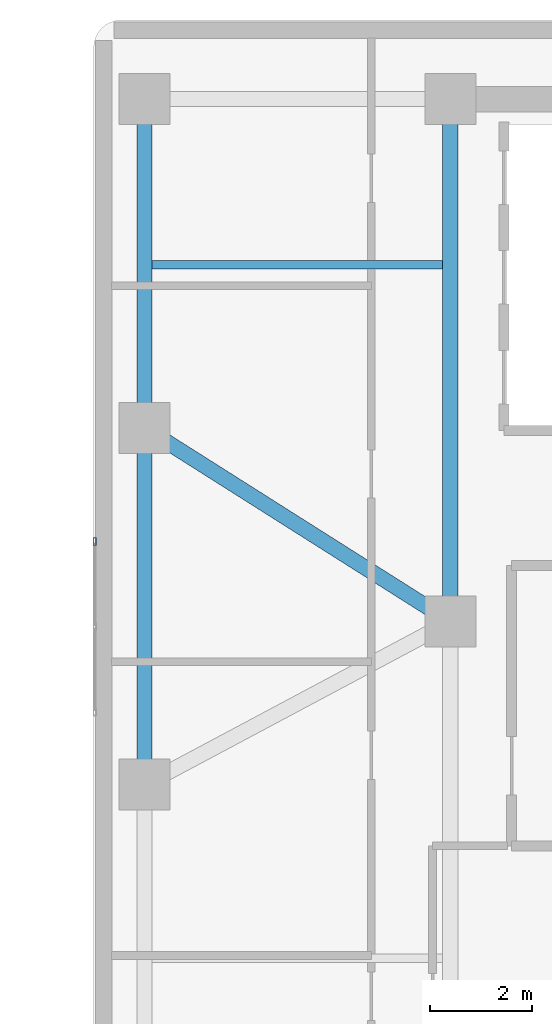
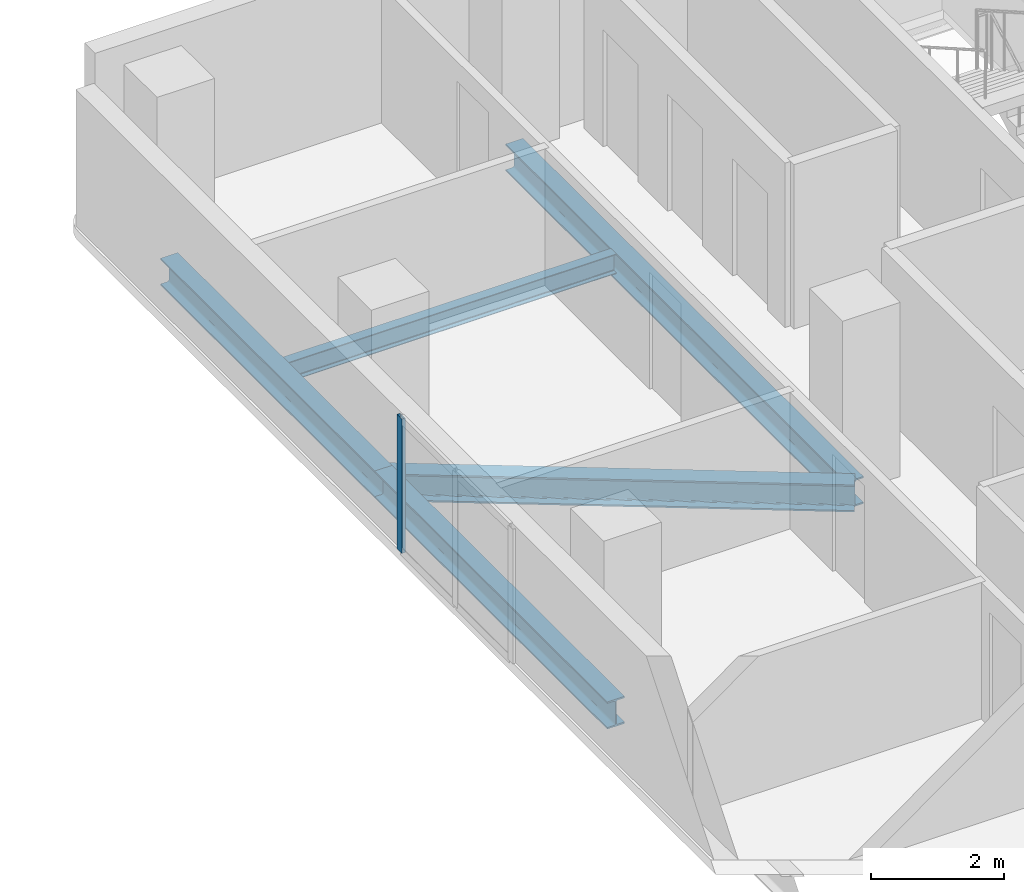
# One storey, part 6 of 14: 5 beams, 1 member, 1 element without a shape of its own.
"""IFC4 building model written with IfcOpenShell, lengths in metres."""

from ifc_helpers import new_model, si_unit, direction, frame, origin, origin_2d, place, context, subcontext, project, spatial, hollow_rectangle, i_section, extrude, material, material_profile, profile_set, type_object, element, aggregate, save


model = new_model("IFC4")

# Units and contexts
model_context = context("Model", 3, precision=1e-05, world=origin(), true_north=direction((0.0, 1.0)))
body_context = subcontext(model_context, "Body", "Model", "MODEL_VIEW")
ifc_project = project(units=[si_unit("LENGTHUNIT", "METRE"), si_unit("AREAUNIT", "SQUARE_METRE"), si_unit("VOLUMEUNIT", "CUBIC_METRE"), si_unit("PLANEANGLEUNIT", "RADIAN"), si_unit("MASSUNIT", "GRAM", prefix="KILO")], contexts=[model_context])

# Site, building, storey
site_placement = place(None, origin())
site = spatial("IfcSite", under=ifc_project, at=site_placement, CompositionType="ELEMENT")
building_placement = place(site_placement, origin())
building = spatial("IfcBuilding", under=site, at=building_placement, Name="Kuzgunbayir Cultural Tower", CompositionType="ELEMENT")
storey_placement = place(building_placement, frame((0.0, 0.0, 33.39990234375)))
storey = spatial("IfcBuildingStorey", under=building, at=storey_placement, Name="L08", CompositionType="ELEMENT", Elevation=33.39990234375)

# Beams
ifc_material_1 = material(Name="Steel S355J2", Category="steel")
ifc_material_profile_1 = material_profile(ifc_material_1, i_section(OverallWidth=0.300048828125, OverallDepth=0.5, WebThickness=0.014404296875, FlangeThickness=0.028076171875, FilletRadius=0.027099609375, at=origin_2d()), Name="HEB 500")
ifc_profile_set_1 = profile_set([ifc_material_profile_1], Name="Steel S355J2")
beam_type_1 = type_object("IfcBeamType", Name="BM-EXT-HEB500", PredefinedType="BEAM", material=ifc_profile_set_1)
beam_1_placement = place(storey_placement, frame((58.60009765625, 28.800048828125, -0.429931640625), z_axis=(0.0, 1.0, 0.0), x_axis=(-1.0, 0.0, 0.0)))
element("IfcBeam", 1, at=beam_1_placement, inside=storey, type_object=beam_type_1, Name="L08 Companion West Girder", PredefinedType="BEAM", context=body_context, shape_type="SweptSolid", body=[
    extrude(i_section(OverallWidth=0.300048828125, OverallDepth=0.5, WebThickness=0.014404296875, FlangeThickness=0.028076171875, FilletRadius=0.027099609375, at=origin_2d()), origin(), (0.0, 0.0, 1.0), 7.0),
])
beam_2_placement = place(storey_placement, frame((58.60009765625, 35.800048828125, -0.429931640625), z_axis=(0.0, 1.0, 0.0), x_axis=(-1.0, 0.0, 0.0)))
element("IfcBeam", 2, at=beam_2_placement, inside=storey, type_object=beam_type_1, Name="L08 Companion West Girder", PredefinedType="BEAM", context=body_context, shape_type="SweptSolid", body=[
    extrude(i_section(OverallWidth=0.300048828125, OverallDepth=0.5, WebThickness=0.014404296875, FlangeThickness=0.028076171875, FilletRadius=0.027099609375, at=origin_2d()), origin(), (0.0, 0.0, 1.0), 6.449951171875),
])
ifc_material_profile_2 = material_profile(ifc_material_1, i_section(OverallWidth=0.300048828125, OverallDepth=0.5, WebThickness=0.014404296875, FlangeThickness=0.028076171875, FilletRadius=0.027099609375, at=origin_2d()), Name="HEB 500")
ifc_profile_set_2 = profile_set([ifc_material_profile_2], Name="Steel S355J2")
beam_type_2 = type_object("IfcBeamType", Name="BM-GIR-HEB500", PredefinedType="BEAM", material=ifc_profile_set_2)
beam_3_placement = place(storey_placement, frame((58.60009765625, 35.800048828125, -0.429931640625), z_axis=(0.844815967829, -0.535056988088, 0.0), x_axis=(0.535056988088, 0.844815967829, 0.0)))
element("IfcBeam", 3, at=beam_3_placement, inside=storey, type_object=beam_type_2, Name="L08 Companion Transverse Girder 3", PredefinedType="BEAM", context=body_context, shape_type="SweptSolid", body=[
    extrude(i_section(OverallWidth=0.300048828125, OverallDepth=0.5, WebThickness=0.014404296875, FlangeThickness=0.028076171875, FilletRadius=0.027099609375, at=origin_2d()), origin(), (0.0, 0.0, 1.0), 7.10205078125),
])
beam_4_placement = place(storey_placement, frame((64.60009765625, 32.0, -0.429931640625), z_axis=(0.0, 1.0, 0.0), x_axis=(-1.0, 0.0, 0.0)))
element("IfcBeam", 4, at=beam_4_placement, inside=storey, type_object=beam_type_2, Name="L08 Companion Core West Girder 2", PredefinedType="BEAM", context=body_context, shape_type="SweptSolid", body=[
    extrude(i_section(OverallWidth=0.300048828125, OverallDepth=0.5, WebThickness=0.014404296875, FlangeThickness=0.028076171875, FilletRadius=0.027099609375, at=origin_2d()), origin(), (0.0, 0.0, 1.0), 10.25),
])
ifc_material_profile_3 = material_profile(ifc_material_1, i_section(OverallWidth=0.169921875, OverallDepth=0.360107421875, WebThickness=0.008056640625, FlangeThickness=0.0126953125, FilletRadius=0.01806640625, at=origin_2d()), Name="IPE 360")
ifc_profile_set_3 = profile_set([ifc_material_profile_3], Name="Steel S355J2")
beam_type_3 = type_object("IfcBeamType", Name="BM-JST-IPE360", PredefinedType="JOIST", material=ifc_profile_set_3)
beam_5_placement = place(storey_placement, frame((58.75, 39.0, -0.35986328125), z_axis=(1.0, 0.0, 0.0), x_axis=(0.0, 1.0, 0.0)))
element("IfcBeam", 5, at=beam_5_placement, inside=storey, type_object=beam_type_3, Name="L08 Companion Joist", PredefinedType="JOIST", context=body_context, shape_type="SweptSolid", body=[
    extrude(i_section(OverallWidth=0.169921875, OverallDepth=0.360107421875, WebThickness=0.008056640625, FlangeThickness=0.0126953125, FilletRadius=0.01806640625, at=origin_2d()), origin(), (0.0, 0.0, 1.0), 5.699951171875),
])

# Curtain wall, member
ifc_material_2 = material(Name="Anodised Aluminium Framing", Category="aluminium")
curtain_wall_type = type_object("IfcCurtainWallType", Name="CW04-T2-CULTURAL", PredefinedType="NOTDEFINED", material=ifc_material_2)
curtain_wall_placement = place(storey_placement, origin())
curtain_wall = element("IfcCurtainWall", 6, at=curtain_wall_placement, inside=storey, type_object=curtain_wall_type, Name="L08 Companion Cultural Curtain Wall", PredefinedType="NOTDEFINED")
ifc_material_profile_4 = material_profile(ifc_material_2, hollow_rectangle(XDim=0.06005859375, YDim=0.14990234375, WallThickness=0.00390625, at=origin_2d()), Name="RHS 150x60x4")
ifc_profile_set_4 = profile_set([ifc_material_profile_4], Name="Anodised Aluminium Framing")
member_type = type_object("IfcMemberType", Name="MEM-CW-MULLION-150", PredefinedType="MULLION", material=ifc_profile_set_4)
member_placement = place(storey_placement, frame((57.6201171875, 33.570068359375, 0.0), z_axis=(0.0, 0.0, 1.0), x_axis=(-1.0, 0.0, 0.0)))
member = element("IfcMember", 7, at=member_placement, type_object=member_type, Name="CW04 mullion 3", PredefinedType="MULLION", context=body_context, shape_type="SweptSolid", body=[
    extrude(hollow_rectangle(XDim=0.06005859375, YDim=0.14990234375, WallThickness=0.00390625, at=origin_2d()), origin(), (0.0, 0.0, 1.0), 2.47021484375),
])
aggregate(curtain_wall, [member])

save(model, "model.ifc")
